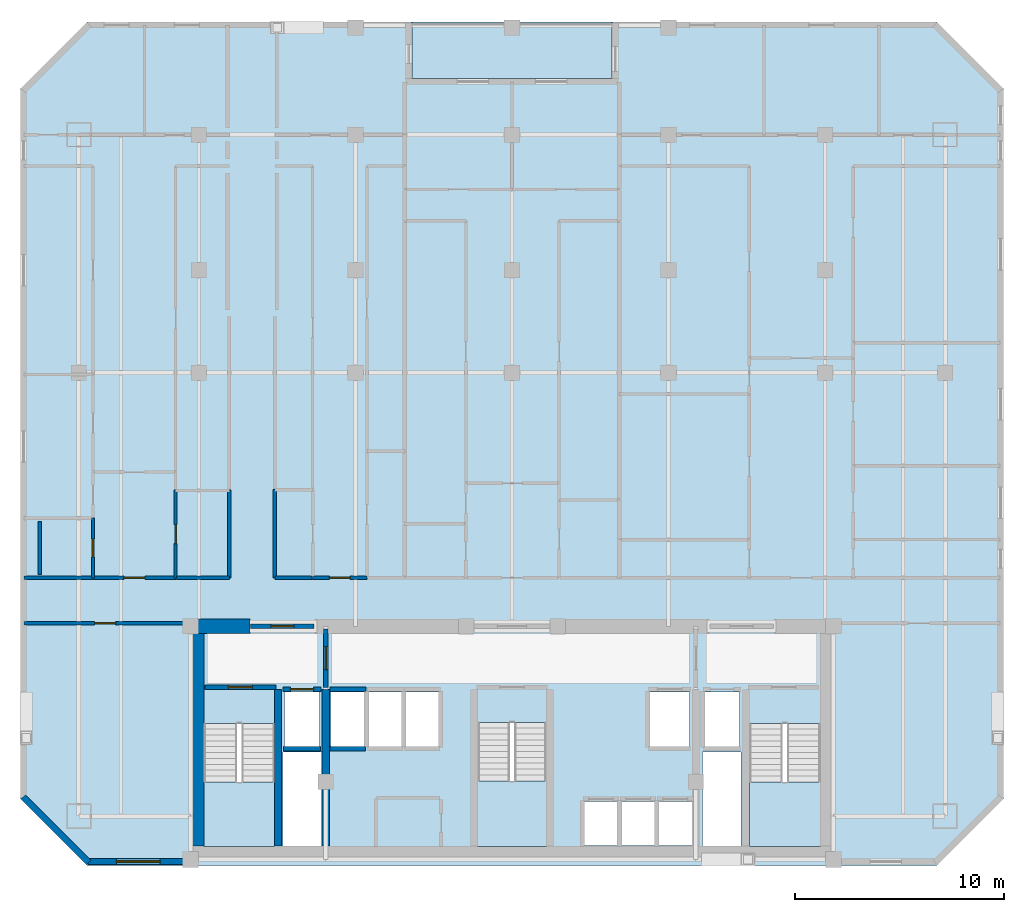
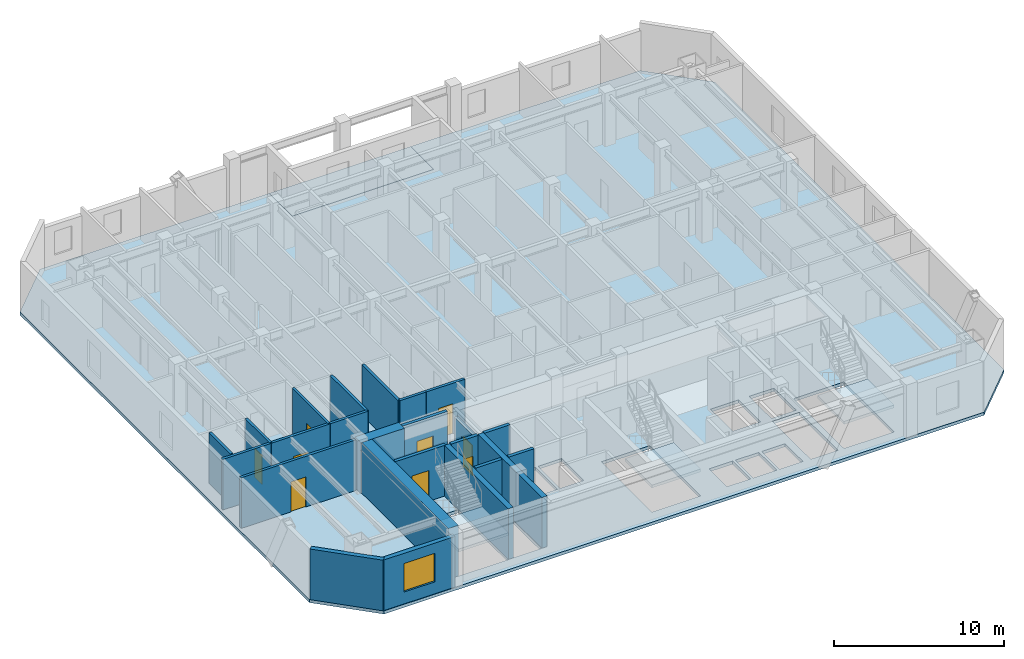
# One storey, part 2 of 8: 24 walls, 9 doors, 5 slabs, 1 window, 10 openings, 3 elements without a shape of their own.
"""IFC4 building model written with IfcOpenShell, lengths in metres."""

from ifc_helpers import new_model, si_unit, direction, frame, frame_2d, origin, place, context, subcontext, project, spatial, polyline, rectangle, outline, extrude, material, layer, layer_set, type_object, element, fill, aggregate, save


model = new_model("IFC4")

# Units and contexts
model_context = context("Model", 3, precision=1e-05, world=origin(), true_north=direction((0.0, 1.0)))
body_context = subcontext(model_context, "Body", "Model", "MODEL_VIEW")
ifc_project = project(units=[si_unit("LENGTHUNIT", "METRE"), si_unit("AREAUNIT", "SQUARE_METRE"), si_unit("VOLUMEUNIT", "CUBIC_METRE"), si_unit("PLANEANGLEUNIT", "RADIAN"), si_unit("MASSUNIT", "GRAM", prefix="KILO")], contexts=[model_context])

# Site, building, storey
site_placement = place(None, origin())
site = spatial("IfcSite", under=ifc_project, at=site_placement, CompositionType="ELEMENT")
building_placement = place(site_placement, origin())
building = spatial("IfcBuilding", under=site, at=building_placement, Name="Ventersveld Concourse Tower", CompositionType="ELEMENT")
storey_placement = place(building_placement, frame((0.0, 0.0, 176.0)))
storey = spatial("IfcBuildingStorey", under=building, at=storey_placement, Name="L43", CompositionType="ELEMENT", Elevation=176.0)

# Slabs
ifc_material_1 = material(Name="Concrete C50/60", Category="concrete")
ifc_layer_1 = layer(ifc_material_1, 0.219970703125)
ifc_layer_set_1 = layer_set([ifc_layer_1], Name="Concrete C50/60")
slab_type_1 = type_object("IfcSlabType", Name="SL-FLR-220", PredefinedType="FLOOR", material=ifc_layer_set_1)
slab_1_placement = place(storey_placement, frame((0.0, 0.0, -0.219970703125)))
element("IfcSlab", 1, at=slab_1_placement, inside=storey, type_object=slab_type_1, Name="L43 Composite Floor Slab", PredefinedType="FLOOR", context=body_context, shape_type="SweptSolid", body=[
    extrude(outline(polyline([(8.39990234375, 0.0), (49.10009765625, 0.0), (52.300048828125, 3.199951171875), (52.300048828125, 37.199951171875), (49.10009765625, 40.39990234375), (33.550048828125, 40.39990234375), (33.550048828125, 37.699951171875), (23.949951171875, 37.699951171875), (23.949951171875, 40.39990234375), (8.39990234375, 40.39990234375), (5.199951171875, 37.199951171875), (5.199951171875, 3.199951171875), (8.39990234375, 0.0)]), holes=[polyline([(13.97998046875, 6.794921875), (13.97998046875, 0.89990234375), (17.3798828125, 0.89990234375), (17.3798828125, 6.794921875), (13.97998046875, 6.794921875)]), polyline([(40.1201171875, 6.794921875), (40.1201171875, 0.89990234375), (43.52001953125, 0.89990234375), (43.52001953125, 6.794921875), (40.1201171875, 6.794921875)]), polyline([(27.10009765625, 6.844970703125), (27.10009765625, 0.89990234375), (30.39990234375, 0.89990234375), (30.39990234375, 6.844970703125), (27.10009765625, 6.844970703125)]), polyline([(17.85009765625, 5.699951171875), (19.530029296875, 5.699951171875), (19.530029296875, 8.300048828125), (17.85009765625, 8.300048828125), (17.85009765625, 5.699951171875)]), polyline([(37.969970703125, 5.699951171875), (39.64990234375, 5.699951171875), (39.64990234375, 8.300048828125), (37.969970703125, 8.300048828125), (37.969970703125, 5.699951171875)]), polyline([(35.35009765625, 5.699951171875), (37.25, 5.699951171875), (37.25, 8.300048828125), (35.35009765625, 8.300048828125), (35.35009765625, 5.699951171875)]), polyline([(32.2099609375, 0.949951171875), (33.81005859375, 0.949951171875), (33.81005859375, 3.050048828125), (32.2099609375, 3.050048828125), (32.2099609375, 0.949951171875)]), polyline([(33.989990234375, 0.949951171875), (35.590087890625, 0.949951171875), (35.590087890625, 3.050048828125), (33.989990234375, 3.050048828125), (33.989990234375, 0.949951171875)]), polyline([(35.77001953125, 0.949951171875), (37.3701171875, 0.949951171875), (37.3701171875, 3.050048828125), (35.77001953125, 3.050048828125), (35.77001953125, 0.949951171875)]), polyline([(20.090087890625, 5.699951171875), (21.68994140625, 5.699951171875), (21.68994140625, 8.300048828125), (20.090087890625, 8.300048828125), (20.090087890625, 5.699951171875)]), polyline([(21.8701171875, 5.699951171875), (23.469970703125, 5.699951171875), (23.469970703125, 8.300048828125), (21.8701171875, 8.300048828125), (21.8701171875, 5.699951171875)]), polyline([(23.64990234375, 5.699951171875), (25.25, 5.699951171875), (25.25, 8.300048828125), (23.64990234375, 8.300048828125), (23.64990234375, 5.699951171875)]), polyline([(17.780029296875, 0.919921875), (19.6201171875, 0.919921875), (19.6201171875, 5.419921875), (17.780029296875, 5.419921875), (17.780029296875, 0.919921875)]), polyline([(37.8798828125, 0.919921875), (39.719970703125, 0.919921875), (39.719970703125, 5.419921875), (37.8798828125, 5.419921875), (37.8798828125, 0.919921875)])]), origin(), (0.0, 0.0, 1.0), 0.219970703125),
])
slab_2_placement = place(storey_placement, frame((0.0, 0.0, -0.219970703125)))
element("IfcSlab", 2, at=slab_2_placement, inside=storey, type_object=slab_type_1, Name="L43 Outdoor Terrace Slab NOTCH-N", PredefinedType="FLOOR", context=body_context, shape_type="SweptSolid", body=[
    extrude(outline(polyline([(23.949951171875, 37.699951171875), (33.550048828125, 37.699951171875), (33.550048828125, 40.39990234375), (23.949951171875, 40.39990234375), (23.949951171875, 37.699951171875)])), origin(), (0.0, 0.0, 1.0), 0.219970703125),
])

# Stair, slab
stair_type_1 = type_object("IfcStairType", Name="ST-DOG-160", PredefinedType="HALF_TURN_STAIR", material=ifc_material_1)
stair_1_placement = place(storey_placement, origin())
stair_1 = element("IfcStair", 3, at=stair_1_placement, inside=storey, type_object=stair_type_1, Name="L43 Protected Tower Escape Stair ST-01", PredefinedType="HALF_TURN_STAIR")
ifc_layer_2 = layer(ifc_material_1, 0.199951171875)
ifc_layer_set_2 = layer_set([ifc_layer_2], Name="Concrete C50/60")
slab_type_2 = type_object("IfcSlabType", Name="SL-LND-200", PredefinedType="LANDING", material=ifc_layer_set_2)
slab_3_placement = place(storey_placement, frame((0.0, 0.0, 1.72509765625)))
slab_3 = element("IfcSlab", 4, at=slab_3_placement, type_object=slab_type_2, Name="ST-01 landing 1", PredefinedType="LANDING", context=body_context, shape_type="SweptSolid", body=[
    extrude(outline(polyline([(13.97998046875, 4.0), (13.97998046875, 0.89990234375), (17.3798828125, 0.89990234375), (17.3798828125, 4.0), (13.97998046875, 4.0)])), origin(), (0.0, 0.0, 1.0), 0.199951171875),
])
aggregate(stair_1, [slab_3])

stair_2_placement = place(storey_placement, origin())
stair_2 = element("IfcStair", 5, at=stair_2_placement, inside=storey, type_object=stair_type_1, Name="L43 Protected Tower Escape Stair ST-02", PredefinedType="HALF_TURN_STAIR")
slab_4_placement = place(storey_placement, frame((0.0, 0.0, 1.72509765625)))
slab_4 = element("IfcSlab", 6, at=slab_4_placement, type_object=slab_type_2, Name="ST-02 landing 1", PredefinedType="LANDING", context=body_context, shape_type="SweptSolid", body=[
    extrude(outline(polyline([(40.1201171875, 4.0), (40.1201171875, 0.89990234375), (43.52001953125, 0.89990234375), (43.52001953125, 4.0), (40.1201171875, 4.0)])), origin(), (0.0, 0.0, 1.0), 0.199951171875),
])
aggregate(stair_2, [slab_4])

stair_type_2 = type_object("IfcStairType", Name="ST-DOG-155", PredefinedType="HALF_TURN_STAIR", material=ifc_material_1)
stair_3_placement = place(storey_placement, origin())
stair_3 = element("IfcStair", 7, at=stair_3_placement, inside=storey, type_object=stair_type_2, Name="L43 Protected Central Core Escape Stair ST-03", PredefinedType="HALF_TURN_STAIR")
slab_5_placement = place(storey_placement, frame((0.0, 0.0, 1.72509765625)))
slab_5 = element("IfcSlab", 8, at=slab_5_placement, type_object=slab_type_2, Name="ST-03 landing 1", PredefinedType="LANDING", context=body_context, shape_type="SweptSolid", body=[
    extrude(outline(polyline([(27.10009765625, 4.050048828125), (27.10009765625, 0.89990234375), (30.39990234375, 0.89990234375), (30.39990234375, 4.050048828125), (27.10009765625, 4.050048828125)])), origin(), (0.0, 0.0, 1.0), 0.199951171875),
])
aggregate(stair_3, [slab_5])

# Walls
ifc_material_2 = material(Name="Concrete C60/75", Category="concrete")
ifc_layer_3 = layer(ifc_material_2, 0.35009765625)
ifc_layer_set_3 = layer_set([ifc_layer_3], Name="Concrete C60/75")
wall_type_1 = type_object("IfcWallType", Name="WL-CORE-350L", PredefinedType="SHEAR", material=ifc_layer_set_3)
for number, where, z_axis, x_axis, name in (
    (9, (17.5400390625, 0.919921875, 0.0), (0.0, 0.0, 1.0), (0.0, 1.0, 0.0), "L43 Core Internal Shear Web W-ST1-E"),
    (10, (19.820068359375, 0.919921875, 0.0), (0.0, 0.0, 1.0), (0.0, 1.0, 0.0), "L43 Core Internal Shear Web W-FF1-E"),
):
    element("IfcWall", number, at=place(storey_placement, frame(where, z_axis=z_axis, x_axis=x_axis)), inside=storey, type_object=wall_type_1, Name=name, PredefinedType="SHEAR", context=body_context, shape_type="SweptSolid", body=[
        extrude(rectangle(XDim=7.5, YDim=0.35009765625, at=frame_2d((3.75, 0.0))), origin(), (0.0, 0.0, 1.0), 3.6298828125),
    ])
ifc_layer_4 = layer(ifc_material_2, 0.699951171875)
ifc_layer_set_4 = layer_set([ifc_layer_4], Name="Concrete C60/75")
wall_type_2 = type_object("IfcWallType", Name="WL-CORE-700", PredefinedType="SHEAR", material=ifc_layer_set_4)
wall_1_placement = place(storey_placement, frame((13.64990234375, 0.919921875, 0.0), z_axis=(0.0, 0.0, 1.0), x_axis=(0.0, 1.0, 0.0)))
element("IfcWall", 11, at=wall_1_placement, inside=storey, type_object=wall_type_2, Name="L43 Rear Core West Shear Wall", PredefinedType="SHEAR", context=body_context, shape_type="SweptSolid", body=[
    extrude(rectangle(XDim=10.530029296875, YDim=0.699951171875, at=frame_2d((5.26513671875, 0.0))), origin(), (0.0, 0.0, 1.0), 3.6298828125),
])
wall_2_placement = place(storey_placement, frame((13.25, 11.449951171875, 0.0), z_axis=(0.0, 0.0, 1.0), x_axis=(1.0, 0.0, 0.0)))
element("IfcWall", 12, at=wall_2_placement, inside=storey, type_object=wall_type_2, Name="L43 Rear Core North Shear Wall NW", PredefinedType="SHEAR", context=body_context, shape_type="SweptSolid", body=[
    extrude(rectangle(XDim=2.949951171875, YDim=0.699951171875, at=frame_2d((1.47509765625, 0.0))), origin(), (0.0, 0.0, 1.0), 3.6298828125),
])

# Wall, opening, door
ifc_material_3 = material(Name="Fire-rated autoclaved aerated masonry blockwork", Category="masonry")
ifc_layer_5 = layer(ifc_material_3, 0.179931640625)
ifc_layer_set_5 = layer_set([ifc_layer_5], Name="Fire-rated autoclaved aerated masonry blockwork")
wall_type_3 = type_object("IfcWallType", Name="WL-CORR-180", PredefinedType="PARTITIONING", material=ifc_layer_set_5)
wall_3_placement = place(storey_placement, frame((5.37255859375, 11.60009765625, 0.0), z_axis=(0.0, 0.0, 1.0), x_axis=(1.0, 0.0, 0.0)))
wall_3 = element("IfcWall", 13, at=wall_3_placement, inside=storey, type_object=wall_type_3, Name="L43 Interior Partition SP-L43-SW-GAL-SP-L43-COR", PredefinedType="PARTITIONING", context=body_context, shape_type="SweptSolid", body=[
    extrude(rectangle(XDim=7.7724609375, YDim=0.179931640625, at=frame_2d((3.88623046875, 0.0))), origin(), (0.0, 0.0, 1.0), 3.6298828125),
])
opening_1_placement = place(wall_3_placement, frame((3.38623046875, 0.0, 0.0)))
opening_1 = element("IfcOpeningElement", 14, at=opening_1_placement, cuts=wall_3, Name="Opening FD3", PredefinedType="OPENING", context=body_context, shape_type="SweptSolid", body=[
    extrude(rectangle(XDim=1.0, YDim=2.14990234375, at=frame_2d((0.5, 1.074951171875))), frame((0.0, 0.10009765625, 0.0), z_axis=(0.0, -1.0, 0.0), x_axis=(1.0, 0.0, 0.0)), (0.0, 0.0, 1.0), 0.199951171875),
])
ifc_material_4 = material(Name="Solid-core hardwood veneer timber", Category="wood")
door_type_1 = type_object("IfcDoorType", Name="DR-FLAT-100", OperationType="NOTDEFINED", PredefinedType="DOOR", material=ifc_material_4)
door_1_placement = place(opening_1_placement, origin())
door_1 = element("IfcDoor", 15, at=door_1_placement, inside=storey, type_object=door_type_1, Name="L43 Interior Door SP-L43-SW-GAL to SP-L43-COR (D-L43-2101)", OperationType="SINGLE_SWING_LEFT", OverallHeight=2.14990234375, OverallWidth=1.0, PredefinedType="DOOR", context=body_context, shape_type="SweptSolid", body=[
    extrude(rectangle(XDim=1.0, YDim=2.14990234375, at=frame_2d((0.5, 1.074951171875))), frame((0.0, 0.02490234375, 0.0), z_axis=(0.0, -1.0, 0.0), x_axis=(1.0, 0.0, 0.0)), (0.0, 0.0, 1.0), 0.050048828125),
])
fill(opening_1, door_1)

wall_4_placement = place(storey_placement, frame((8.67236328125, 13.77001953125, 0.0), z_axis=(0.0, 0.0, 1.0), x_axis=(1.0, 0.0, 0.0)))
wall_4 = element("IfcWall", 16, at=wall_4_placement, inside=storey, type_object=wall_type_3, Name="L43 Interior Partition SP-L43-COR-SP-L43-43NW-FOY", PredefinedType="PARTITIONING", context=body_context, shape_type="SweptSolid", body=[
    extrude(rectangle(XDim=3.969970703125, YDim=0.179931640625, at=frame_2d((1.98486328125, 0.0))), origin(), (0.0, 0.0, 1.0), 3.6298828125),
])
opening_2_placement = place(wall_4_placement, frame((1.485107421875, 0.0, 0.0)))
opening_2 = element("IfcOpeningElement", 17, at=opening_2_placement, cuts=wall_4, Name="Opening FD3", PredefinedType="OPENING", context=body_context, shape_type="SweptSolid", body=[
    extrude(rectangle(XDim=1.0, YDim=2.14990234375, at=frame_2d((0.5, 1.074951171875))), frame((0.0, 0.10009765625, 0.0), z_axis=(0.0, -1.0, 0.0), x_axis=(1.0, 0.0, 0.0)), (0.0, 0.0, 1.0), 0.199951171875),
])
door_2_placement = place(opening_2_placement, origin())
door_2 = element("IfcDoor", 18, at=door_2_placement, inside=storey, type_object=door_type_1, Name="L43 Interior Door SP-L43-COR to SP-L43-43NW-FOY (FD-L43-2103)", OperationType="SINGLE_SWING_LEFT", OverallHeight=2.14990234375, OverallWidth=1.0, PredefinedType="DOOR", context=body_context, shape_type="SweptSolid", body=[
    extrude(rectangle(XDim=1.0, YDim=2.14990234375, at=frame_2d((0.5, 1.074951171875))), frame((0.0, 0.02490234375, 0.0), z_axis=(0.0, -1.0, 0.0), x_axis=(1.0, 0.0, 0.0)), (0.0, 0.0, 1.0), 0.050048828125),
])
fill(opening_2, door_2)

# Walls
wall_5_placement = place(storey_placement, frame((5.37255859375, 13.77001953125, 0.0), z_axis=(0.0, 0.0, 1.0), x_axis=(1.0, 0.0, 0.0)))
element("IfcWall", 19, at=wall_5_placement, inside=storey, type_object=wall_type_3, Name="L43 Interior Partition SP-L43-COR-SP-L43-43NW-BATH", PredefinedType="PARTITIONING", context=body_context, shape_type="SweptSolid", body=[
    extrude(rectangle(XDim=3.269775390625, YDim=0.179931640625, at=frame_2d((1.634765625, 0.0))), origin(), (0.0, 0.0, 1.0), 3.6298828125),
])
wall_6_placement = place(storey_placement, frame((15.2099609375, 13.764892578125, 0.0), z_axis=(0.0, 0.0, 1.0), x_axis=(0.0, 1.0, 0.0)))
element("IfcWall", 20, at=wall_6_placement, inside=storey, type_object=wall_type_3, Name="L43 Interior Partition SP-L43-COR-SP-L43-43NW-KIT", PredefinedType="PARTITIONING", context=body_context, shape_type="SweptSolid", body=[
    extrude(rectangle(XDim=4.202392578125, YDim=0.179931640625, at=frame_2d((2.10107421875, 0.0))), origin(), (0.0, 0.0, 1.0), 3.6298828125),
])
wall_7_placement = place(storey_placement, frame((12.67236328125, 13.77001953125, 0.0), z_axis=(0.0, 0.0, 1.0), x_axis=(1.0, 0.0, 0.0)))
element("IfcWall", 21, at=wall_7_placement, inside=storey, type_object=wall_type_3, Name="L43 Interior Partition SP-L43-COR-SP-L43-43NW-KIT", PredefinedType="PARTITIONING", context=body_context, shape_type="SweptSolid", body=[
    extrude(rectangle(XDim=2.542724609375, YDim=0.179931640625, at=frame_2d((1.271484375, 0.0))), origin(), (0.0, 0.0, 1.0), 3.6298828125),
])

# Wall, opening, door
wall_8_placement = place(storey_placement, frame((19.19580078125, 13.77001953125, 0.0), z_axis=(0.0, 0.0, 1.0), x_axis=(1.0, 0.0, 0.0)))
wall_8 = element("IfcWall", 22, at=wall_8_placement, inside=storey, type_object=wall_type_3, Name="L43 Interior Partition SP-L43-COR-SP-L43-43CW-LIV", PredefinedType="PARTITIONING", context=body_context, shape_type="SweptSolid", body=[
    extrude(rectangle(XDim=2.6083984375, YDim=0.179931640625, at=frame_2d((1.30419921875, 0.0))), origin(), (0.0, 0.0, 1.0), 3.6298828125),
])
opening_3_placement = place(wall_8_placement, frame((0.80419921875, 0.0, 0.0)))
opening_3 = element("IfcOpeningElement", 23, at=opening_3_placement, cuts=wall_8, Name="Opening FD3", PredefinedType="OPENING", context=body_context, shape_type="SweptSolid", body=[
    extrude(rectangle(XDim=1.0, YDim=2.14990234375, at=frame_2d((0.5, 1.074951171875))), frame((0.0, 0.10009765625, 0.0), z_axis=(0.0, -1.0, 0.0), x_axis=(1.0, 0.0, 0.0)), (0.0, 0.0, 1.0), 0.199951171875),
])
door_3_placement = place(opening_3_placement, origin())
door_3 = element("IfcDoor", 24, at=door_3_placement, inside=storey, type_object=door_type_1, Name="L43 Interior Door SP-L43-COR to SP-L43-43CW-LIV (FD-L43-2104)", OperationType="SINGLE_SWING_RIGHT", OverallHeight=2.14990234375, OverallWidth=1.0, PredefinedType="DOOR", context=body_context, shape_type="SweptSolid", body=[
    extrude(rectangle(XDim=1.0, YDim=2.14990234375, at=frame_2d((0.5, 1.074951171875))), frame((0.0, 0.02490234375, 0.0), z_axis=(0.0, -1.0, 0.0), x_axis=(1.0, 0.0, 0.0)), (0.0, 0.0, 1.0), 0.050048828125),
])
fill(opening_3, door_3)

# Walls
wall_9_placement = place(storey_placement, frame((17.389892578125, 13.764892578125, 0.0), z_axis=(0.0, 0.0, 1.0), x_axis=(0.0, 1.0, 0.0)))
element("IfcWall", 25, at=wall_9_placement, inside=storey, type_object=wall_type_3, Name="L43 Interior Partition SP-L43-COR-SP-L43-43CW-BATH", PredefinedType="PARTITIONING", context=body_context, shape_type="SweptSolid", body=[
    extrude(rectangle(XDim=4.2373046875, YDim=0.179931640625, at=frame_2d((2.11865234375, 0.0))), origin(), (0.0, 0.0, 1.0), 3.6298828125),
])
wall_10_placement = place(storey_placement, frame((17.385009765625, 13.77001953125, 0.0), z_axis=(0.0, 0.0, 1.0), x_axis=(1.0, 0.0, 0.0)))
element("IfcWall", 26, at=wall_10_placement, inside=storey, type_object=wall_type_3, Name="L43 Interior Partition SP-L43-COR-SP-L43-43CW-BATH", PredefinedType="PARTITIONING", context=body_context, shape_type="SweptSolid", body=[
    extrude(rectangle(XDim=1.78076171875, YDim=0.179931640625, at=frame_2d((0.890380859375, 0.0))), origin(), (0.0, 0.0, 1.0), 3.6298828125),
])
ifc_layer_6 = layer(ifc_material_3, 0.219970703125)
ifc_layer_set_6 = layer_set([ifc_layer_6], Name="Fire-rated autoclaved aerated masonry blockwork")
wall_type_4 = type_object("IfcWallType", Name="WL-HOIST-220", PredefinedType="SOLIDWALL", material=ifc_layer_set_6)
wall_11_placement = place(storey_placement, frame((17.800048828125, 5.590087890625, 0.0), z_axis=(0.0, 0.0, 1.0), x_axis=(1.0, 0.0, 0.0)))
element("IfcWall", 27, at=wall_11_placement, inside=storey, type_object=wall_type_4, Name="L43 Lift Hoistway Back Wall FFL-01", PredefinedType="SOLIDWALL", context=body_context, shape_type="SweptSolid", body=[
    extrude(rectangle(XDim=1.780029296875, YDim=0.219970703125, at=frame_2d((0.89013671875, 0.0))), origin(), (0.0, 0.0, 1.0), 3.6298828125),
])

# Wall, opening, door
wall_12_placement = place(storey_placement, frame((17.780029296875, 8.429931640625, 0.0), z_axis=(0.0, 0.0, 1.0), x_axis=(1.0, 0.0, 0.0)))
wall_12 = element("IfcWall", 28, at=wall_12_placement, inside=storey, type_object=wall_type_4, Name="L43 Lift Hoistway Front Wall FFL-01", PredefinedType="SOLIDWALL", context=body_context, shape_type="SweptSolid", body=[
    extrude(rectangle(XDim=1.820068359375, YDim=0.219970703125, at=frame_2d((0.91015625, 0.0))), origin(), (0.0, 0.0, 1.0), 3.6298828125),
])
opening_4_placement = place(wall_12_placement, frame((0.35009765625, 0.0, 0.0)))
opening_4 = element("IfcOpeningElement", 29, at=opening_4_placement, cuts=wall_12, Name="Opening LD1", PredefinedType="OPENING", context=body_context, shape_type="SweptSolid", body=[
    extrude(rectangle(XDim=1.1201171875, YDim=2.25, at=frame_2d((0.56005859375, 1.125))), frame((0.0, 0.1201171875, 0.0), z_axis=(0.0, -1.0, 0.0), x_axis=(1.0, 0.0, 0.0)), (0.0, 0.0, 1.0), 0.239990234375),
])
ifc_material_5 = material(Name="Brushed stainless steel 316", Category="steel")
door_type_2 = type_object("IfcDoorType", Name="LD-FF-112", OperationType="SLIDING_TO_LEFT", PredefinedType="DOOR", material=ifc_material_5)
door_4_placement = place(opening_4_placement, origin())
door_4 = element("IfcDoor", 30, at=door_4_placement, inside=storey, type_object=door_type_2, Name="L43 Lift landing door FFL-01 (LD-L43-FFL-01)", OperationType="SLIDING_TO_LEFT", OverallHeight=2.25, OverallWidth=1.1201171875, PredefinedType="DOOR", context=body_context, shape_type="SweptSolid", body=[
    extrude(rectangle(XDim=1.1201171875, YDim=2.25, at=frame_2d((0.56005859375, 1.125))), frame((0.0, 0.02490234375, 0.0), z_axis=(0.0, -1.0, 0.0), x_axis=(1.0, 0.0, 0.0)), (0.0, 0.0, 1.0), 0.050048828125),
])
fill(opening_4, door_4)

# Walls
wall_13_placement = place(storey_placement, frame((20.0400390625, 5.590087890625, 0.0), z_axis=(0.0, 0.0, 1.0), x_axis=(1.0, 0.0, 0.0)))
element("IfcWall", 31, at=wall_13_placement, inside=storey, type_object=wall_type_4, Name="L43 Lift Hoistway Back Wall PH-01", PredefinedType="SOLIDWALL", context=body_context, shape_type="SweptSolid", body=[
    extrude(rectangle(XDim=1.699951171875, YDim=0.219970703125, at=frame_2d((0.85009765625, 0.0))), origin(), (0.0, 0.0, 1.0), 3.6298828125),
])
wall_14_placement = place(storey_placement, frame((20.02001953125, 8.429931640625, 0.0), z_axis=(0.0, 0.0, 1.0), x_axis=(1.0, 0.0, 0.0)))
element("IfcWall", 32, at=wall_14_placement, inside=storey, type_object=wall_type_4, Name="L43 Lift Hoistway Front Wall PH-01", PredefinedType="SOLIDWALL", context=body_context, shape_type="SweptSolid", body=[
    extrude(rectangle(XDim=1.739990234375, YDim=0.219970703125, at=frame_2d((0.8701171875, 0.0))), origin(), (0.0, 0.0, 1.0), 3.6298828125),
])

# Wall, opening, door
wall_15_placement = place(storey_placement, frame((14.0400390625, 8.52001953125, 0.0), z_axis=(0.0, 0.0, 1.0), x_axis=(1.0, 0.0, 0.0)))
wall_15 = element("IfcWall", 33, at=wall_15_placement, inside=storey, type_object=wall_type_4, Name="L43 Escape Stair ST01 Fire Wall", PredefinedType="SOLIDWALL", context=body_context, shape_type="SweptSolid", body=[
    extrude(rectangle(XDim=3.39990234375, YDim=0.219970703125, at=frame_2d((1.699951171875, 0.0))), origin(), (0.0, 0.0, 1.0), 3.6298828125),
])
opening_5_placement = place(wall_15_placement, frame((1.125, 0.0, 0.0)))
opening_5 = element("IfcOpeningElement", 34, at=opening_5_placement, cuts=wall_15, Name="Opening FD1", PredefinedType="OPENING", context=body_context, shape_type="SweptSolid", body=[
    extrude(rectangle(XDim=1.14990234375, YDim=2.199951171875, at=frame_2d((0.574951171875, 1.10009765625))), frame((0.0, 0.1201171875, 0.0), z_axis=(0.0, -1.0, 0.0), x_axis=(1.0, 0.0, 0.0)), (0.0, 0.0, 1.0), 0.239990234375),
])
ifc_material_6 = material(Name="Galvanised painted steel", Category="steel")
door_type_3 = type_object("IfcDoorType", Name="DR-STAIR-115", OperationType="NOTDEFINED", PredefinedType="DOOR", material=ifc_material_6)
door_5_placement = place(opening_5_placement, origin())
door_5 = element("IfcDoor", 35, at=door_5_placement, inside=storey, type_object=door_type_3, Name="L43 Escape Stair Door ST01 (SD-L43-2092)", OperationType="SINGLE_SWING_LEFT", OverallHeight=2.199951171875, OverallWidth=1.14990234375, PredefinedType="DOOR", context=body_context, shape_type="SweptSolid", body=[
    extrude(rectangle(XDim=1.14990234375, YDim=2.199951171875, at=frame_2d((0.574951171875, 1.10009765625))), frame((0.0, 0.02490234375, 0.0), z_axis=(0.0, -1.0, 0.0), x_axis=(1.0, 0.0, 0.0)), (0.0, 0.0, 1.0), 0.050048828125),
])
fill(opening_5, door_5)

wall_16_placement = place(storey_placement, frame((19.820068359375, 8.52001953125, 0.0), z_axis=(0.0, 0.0, 1.0), x_axis=(0.0, 1.0, 0.0)))
wall_16 = element("IfcWall", 36, at=wall_16_placement, inside=storey, type_object=wall_type_4, Name="L43 Firefighting Lobby Smoke-Stop Wall FFLW-SEP", PredefinedType="SOLIDWALL", context=body_context, shape_type="SweptSolid", body=[
    extrude(rectangle(XDim=2.800048828125, YDim=0.219970703125, at=frame_2d((1.39990234375, 0.0))), origin(), (0.0, 0.0, 1.0), 3.08544921875),
])
opening_6_placement = place(wall_16_placement, frame((0.85009765625, 0.0, 0.0)))
opening_6 = element("IfcOpeningElement", 37, at=opening_6_placement, cuts=wall_16, Name="Opening FD2", PredefinedType="OPENING", context=body_context, shape_type="SweptSolid", body=[
    extrude(rectangle(XDim=1.10009765625, YDim=2.199951171875, at=frame_2d((0.550048828125, 1.10009765625))), frame((0.0, 0.1201171875, 0.0), z_axis=(0.0, -1.0, 0.0), x_axis=(1.0, 0.0, 0.0)), (0.0, 0.0, 1.0), 0.239990234375),
])
door_type_4 = type_object("IfcDoorType", Name="DR-FFL-110", OperationType="NOTDEFINED", PredefinedType="DOOR", material=ifc_material_6)
door_6_placement = place(opening_6_placement, origin())
door_6 = element("IfcDoor", 38, at=door_6_placement, inside=storey, type_object=door_type_4, Name="L43 Firefighting Lobby Door FFLW-SEP (FD-L43-2095)", OperationType="SINGLE_SWING_LEFT", OverallHeight=2.199951171875, OverallWidth=1.10009765625, PredefinedType="DOOR", context=body_context, shape_type="SweptSolid", body=[
    extrude(rectangle(XDim=1.10009765625, YDim=2.199951171875, at=frame_2d((0.550048828125, 1.10009765625))), frame((0.0, 0.02490234375, 0.0), z_axis=(0.0, -1.0, 0.0), x_axis=(1.0, 0.0, 0.0)), (0.0, 0.0, 1.0), 0.050048828125),
])
fill(opening_6, door_6)

wall_17_placement = place(storey_placement, frame((16.22998046875, 11.449951171875, 0.0), z_axis=(0.0, 0.0, 1.0), x_axis=(1.0, 0.0, 0.0)))
wall_17 = element("IfcWall", 39, at=wall_17_placement, inside=storey, type_object=wall_type_4, Name="L43 Core North Fire Portal FFLW-OUT", PredefinedType="SOLIDWALL", context=body_context, shape_type="SweptSolid", body=[
    extrude(rectangle(XDim=3.0400390625, YDim=0.219970703125, at=frame_2d((1.52001953125, 0.0))), origin(), (0.0, 0.0, 1.0), 3.6298828125),
])
opening_7_placement = place(wall_17_placement, frame((0.969970703125, 0.0, 0.0)))
opening_7 = element("IfcOpeningElement", 40, at=opening_7_placement, cuts=wall_17, Name="Opening FD2", PredefinedType="OPENING", context=body_context, shape_type="SweptSolid", body=[
    extrude(rectangle(XDim=1.10009765625, YDim=2.199951171875, at=frame_2d((0.550048828125, 1.10009765625))), frame((0.0, 0.1201171875, 0.0), z_axis=(0.0, -1.0, 0.0), x_axis=(1.0, 0.0, 0.0)), (0.0, 0.0, 1.0), 0.239990234375),
])
door_7_placement = place(opening_7_placement, origin())
door_7 = element("IfcDoor", 41, at=door_7_placement, inside=storey, type_object=door_type_4, Name="L43 Core Lobby Fire Door FFLW-OUT (FD-L43-2097)", OperationType="SINGLE_SWING_RIGHT", OverallHeight=2.199951171875, OverallWidth=1.10009765625, PredefinedType="DOOR", context=body_context, shape_type="SweptSolid", body=[
    extrude(rectangle(XDim=1.10009765625, YDim=2.199951171875, at=frame_2d((0.550048828125, 1.10009765625))), frame((0.0, 0.02490234375, 0.0), z_axis=(0.0, -1.0, 0.0), x_axis=(1.0, 0.0, 0.0)), (0.0, 0.0, 1.0), 0.050048828125),
])
fill(opening_7, door_7)

ifc_material_7 = material(Name="Autoclaved aerated masonry blockwork", Category="masonry")
ifc_layer_7 = layer(ifc_material_7, 0.14990234375)
ifc_layer_set_7 = layer_set([ifc_layer_7], Name="Autoclaved aerated masonry blockwork")
wall_type_5 = type_object("IfcWallType", Name="WL-INT-150", PredefinedType="PARTITIONING", material=ifc_layer_set_7)
wall_18_placement = place(storey_placement, frame((12.637451171875, 13.764892578125, 0.0), z_axis=(0.0, 0.0, 1.0), x_axis=(0.0, 1.0, 0.0)))
wall_18 = element("IfcWall", 42, at=wall_18_placement, inside=storey, type_object=wall_type_5, Name="L43 Interior Partition SP-L43-43NW-FOY-SP-L43-43NW-KIT", PredefinedType="PARTITIONING", context=body_context, shape_type="SweptSolid", body=[
    extrude(rectangle(XDim=4.202392578125, YDim=0.14990234375, at=frame_2d((2.10107421875, 0.0))), origin(), (0.0, 0.0, 1.0), 3.6298828125),
])
opening_8_placement = place(wall_18_placement, frame((1.64111328125, 0.0, 0.0)))
opening_8 = element("IfcOpeningElement", 43, at=opening_8_placement, cuts=wall_18, Name="Opening ID1", PredefinedType="OPENING", context=body_context, shape_type="SweptSolid", body=[
    extrude(rectangle(XDim=0.919921875, YDim=2.10009765625, at=frame_2d((0.4599609375, 1.050048828125))), frame((0.0, 0.0849609375, 0.0), z_axis=(0.0, -1.0, 0.0), x_axis=(1.0, 0.0, 0.0)), (0.0, 0.0, 1.0), 0.169921875),
])
door_type_5 = type_object("IfcDoorType", Name="DR-ROOM-092", OperationType="NOTDEFINED", PredefinedType="DOOR", material=ifc_material_4)
door_8_placement = place(opening_8_placement, origin())
door_8 = element("IfcDoor", 44, at=door_8_placement, inside=storey, type_object=door_type_5, Name="L43 Interior Door SP-L43-43NW-FOY to SP-L43-43NW-KIT (D-L43-2110)", OperationType="SINGLE_SWING_RIGHT", OverallHeight=2.10009765625, OverallWidth=0.919921875, PredefinedType="DOOR", context=body_context, shape_type="SweptSolid", body=[
    extrude(rectangle(XDim=0.919921875, YDim=2.10009765625, at=frame_2d((0.4599609375, 1.050048828125))), frame((0.0, 0.02490234375, 0.0), z_axis=(0.0, -1.0, 0.0), x_axis=(1.0, 0.0, 0.0)), (0.0, 0.0, 1.0), 0.050048828125),
])
fill(opening_8, door_8)

# Wall, opening, window
ifc_material_8 = material(Name="Precast concrete C45/55", Category="concrete")
ifc_layer_8 = layer(ifc_material_8, 0.300048828125)
ifc_layer_set_8 = layer_set([ifc_layer_8], Name="Precast concrete C45/55")
wall_type_6 = type_object("IfcWallType", Name="WL-PREC-300", PredefinedType="SOLIDWALL", material=ifc_layer_set_8)
wall_19_placement = place(storey_placement, frame((8.43994140625, 0.179931640625, 0.0), z_axis=(0.0, 0.0, 1.0), x_axis=(1.0, 0.0, 0.0)))
wall_19 = element("IfcWall", 45, at=wall_19_placement, inside=storey, type_object=wall_type_6, Name="L43 South-West Flank Precast Wall", PredefinedType="SOLIDWALL", context=body_context, shape_type="SweptSolid", body=[
    extrude(rectangle(XDim=4.81005859375, YDim=0.300048828125, at=frame_2d((2.405029296875, 0.0))), origin(), (0.0, 0.0, 1.0), 3.6298828125),
])
opening_9_placement = place(wall_19_placement, frame((1.35498046875, 0.0, 0.85009765625)))
opening_9 = element("IfcOpeningElement", 46, at=opening_9_placement, cuts=wall_19, Name="Opening W7", PredefinedType="OPENING", context=body_context, shape_type="SweptSolid", body=[
    extrude(rectangle(XDim=2.10009765625, YDim=2.050048828125, at=frame_2d((1.050048828125, 1.02490234375))), frame((0.0, 0.16015625, 0.0), z_axis=(0.0, -1.0, 0.0), x_axis=(1.0, 0.0, 0.0)), (0.0, 0.0, 1.0), 0.320068359375),
])
ifc_material_9 = material(Name="Tempered acoustic Low-E IGU", Category="glass")
window_type = type_object("IfcWindowType", Name="WIN-210x205", PartitioningType="SINGLE_PANEL", PredefinedType="WINDOW", material=ifc_material_9)
window_placement = place(opening_9_placement, origin())
window = element("IfcWindow", 47, at=window_placement, inside=storey, type_object=window_type, Name="L43 Punched Low-E Window W-0582", OverallHeight=2.050048828125, OverallWidth=2.10009765625, PartitioningType="SINGLE_PANEL", PredefinedType="WINDOW", context=body_context, shape_type="SweptSolid", body=[
    extrude(rectangle(XDim=2.10009765625, YDim=2.050048828125, at=frame_2d((1.050048828125, 1.02490234375))), frame((0.0, 0.030029296875, 0.0), z_axis=(0.0, -1.0, 0.0), x_axis=(1.0, 0.0, 0.0)), (0.0, 0.0, 1.0), 0.06005859375),
])
fill(opening_9, window)

# Wall
wall_20_placement = place(storey_placement, frame((5.33447265625, 3.27783203125, 0.0), z_axis=(0.0, 0.0, 1.0), x_axis=(0.707106781187, -0.707106781187, 0.0)))
element("IfcWall", 48, at=wall_20_placement, inside=storey, type_object=wall_type_6, Name="L43 Highveld Precast Facade Wall E12", PredefinedType="SOLIDWALL", context=body_context, shape_type="SweptSolid", body=[
    extrude(rectangle(XDim=4.4453125, YDim=0.300048828125, at=frame_2d((2.22265625, 0.0))), origin(), (0.0, 0.0, 1.0), 3.6298828125),
])

# Wall, opening, door
ifc_layer_9 = layer(ifc_material_7, 0.1650390625)
ifc_layer_set_9 = layer_set([ifc_layer_9], Name="Autoclaved aerated masonry blockwork")
wall_type_7 = type_object("IfcWallType", Name="WL-WET-165", PredefinedType="PLUMBINGWALL", material=ifc_layer_set_9)
wall_21_placement = place(storey_placement, frame((8.677490234375, 13.764892578125, 0.0), z_axis=(0.0, 0.0, 1.0), x_axis=(0.0, 1.0, 0.0)))
wall_21 = element("IfcWall", 49, at=wall_21_placement, inside=storey, type_object=wall_type_7, Name="L43 Interior Partition SP-L43-43NW-FOY-SP-L43-43NW-BATH", PredefinedType="PLUMBINGWALL", context=body_context, shape_type="SweptSolid", body=[
    extrude(rectangle(XDim=2.864990234375, YDim=0.1650390625, at=frame_2d((1.4326171875, 0.0))), origin(), (0.0, 0.0, 1.0), 3.6298828125),
])
opening_10_placement = place(wall_21_placement, frame((1.00732421875, 0.0, 0.0)))
opening_10 = element("IfcOpeningElement", 50, at=opening_10_placement, cuts=wall_21, Name="Opening ID2", PredefinedType="OPENING", context=body_context, shape_type="SweptSolid", body=[
    extrude(rectangle(XDim=0.85009765625, YDim=2.10009765625, at=frame_2d((0.425048828125, 1.050048828125))), frame((0.0, 0.092529296875, 0.0), z_axis=(0.0, -1.0, 0.0), x_axis=(1.0, 0.0, 0.0)), (0.0, 0.0, 1.0), 0.18505859375),
])
door_type_6 = type_object("IfcDoorType", Name="DR-BATH-085", OperationType="NOTDEFINED", PredefinedType="DOOR", material=ifc_material_4)
door_9_placement = place(opening_10_placement, origin())
door_9 = element("IfcDoor", 51, at=door_9_placement, inside=storey, type_object=door_type_6, Name="L43 Interior Door SP-L43-43NW-FOY to SP-L43-43NW-BATH (D-L43-2108)", OperationType="SINGLE_SWING_RIGHT", OverallHeight=2.10009765625, OverallWidth=0.85009765625, PredefinedType="DOOR", context=body_context, shape_type="SweptSolid", body=[
    extrude(rectangle(XDim=0.85009765625, YDim=2.10009765625, at=frame_2d((0.425048828125, 1.050048828125))), frame((0.0, 0.02490234375, 0.0), z_axis=(0.0, -1.0, 0.0), x_axis=(1.0, 0.0, 0.0)), (0.0, 0.0, 1.0), 0.050048828125),
])
fill(opening_10, door_9)

# Wall
wall_22_placement = place(storey_placement, frame((6.1201171875, 13.93505859375, 0.0), z_axis=(0.0, 0.0, 1.0), x_axis=(0.0, 1.0, 0.0)))
element("IfcWall", 52, at=wall_22_placement, inside=storey, type_object=wall_type_7, Name="L43 Room Enclosure Wall SP-L43-43NW-BATH", PredefinedType="PLUMBINGWALL", context=body_context, shape_type="SweptSolid", body=[
    extrude(rectangle(XDim=2.52490234375, YDim=0.1650390625, at=frame_2d((1.262451171875, 0.0))), origin(), (0.0, 0.0, 1.0), 3.6298828125),
])

save(model, "model.ifc")
